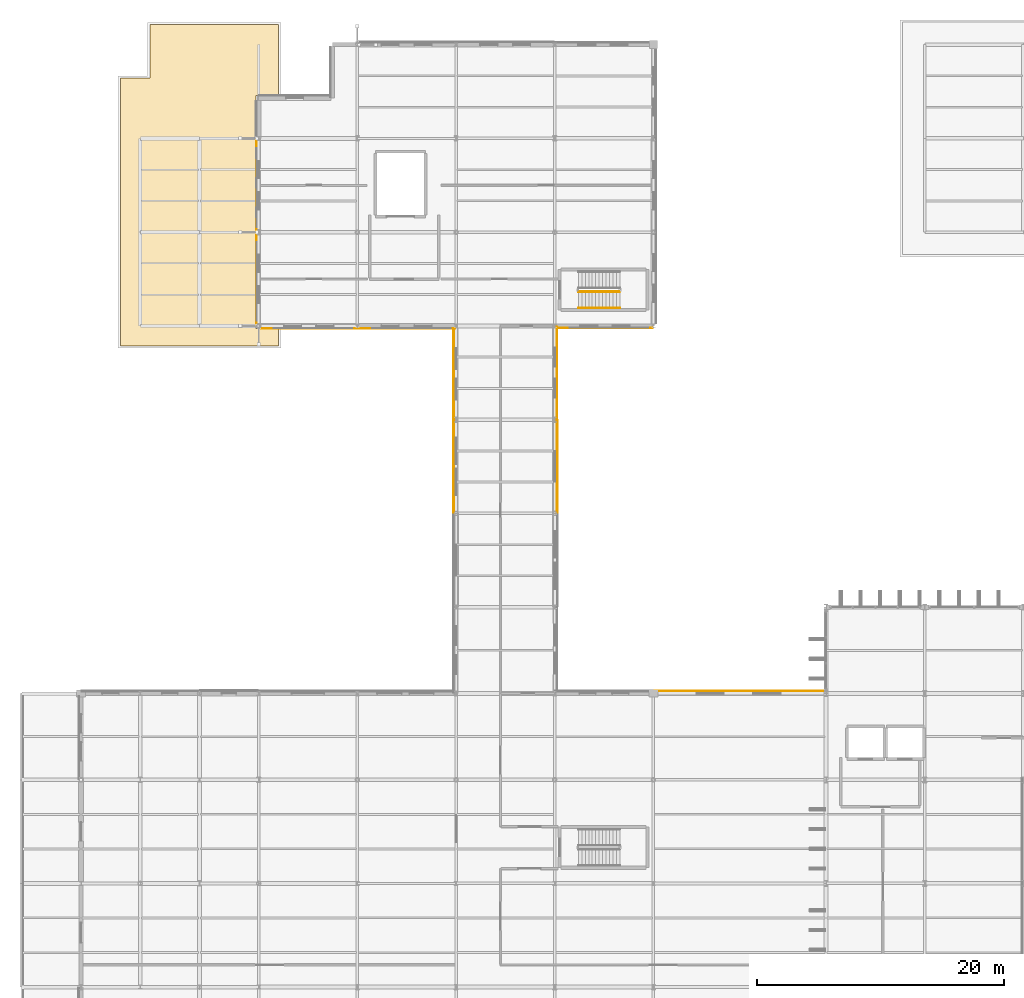
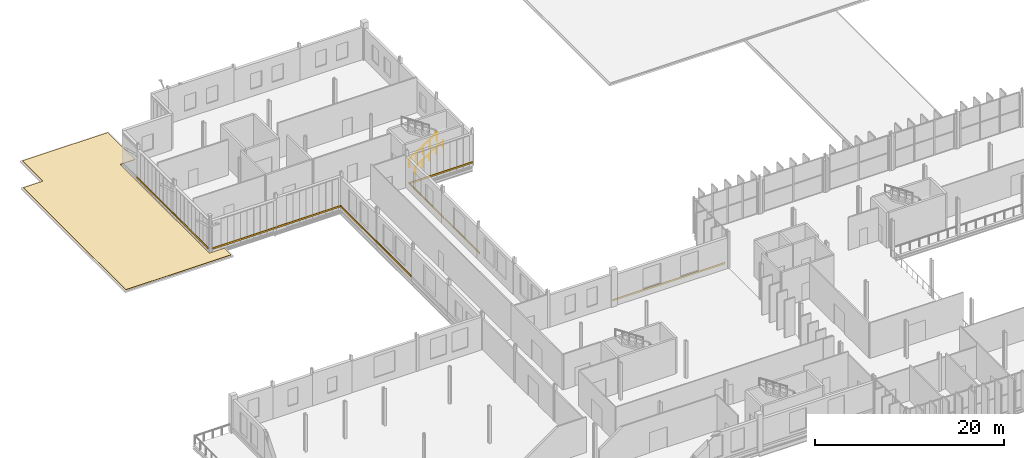
# One storey, part 113 of 120: 11 coverings, 2 railings.
"""IFC4 building model written with IfcOpenShell, lengths in metres."""

from ifc_helpers import new_model, si_unit, direction, frame, origin, origin_2d, place, context, subcontext, project, spatial, polyline, rectangle, circle, outline, extrude, material, layer, layer_set, type_object, element, save


model = new_model("IFC4")

# Units and contexts
model_context = context("Model", 3, precision=1e-05, world=origin(), true_north=direction((0.0, 1.0)))
body_context = subcontext(model_context, "Body", "Model", "MODEL_VIEW")
ifc_project = project(units=[si_unit("LENGTHUNIT", "METRE"), si_unit("AREAUNIT", "SQUARE_METRE"), si_unit("VOLUMEUNIT", "CUBIC_METRE"), si_unit("PLANEANGLEUNIT", "RADIAN"), si_unit("MASSUNIT", "GRAM", prefix="KILO")], contexts=[model_context])

# Site, building, storey
site_placement = place(None, origin())
site = spatial("IfcSite", under=ifc_project, at=site_placement, CompositionType="ELEMENT")
building_placement = place(site_placement, origin())
building = spatial("IfcBuilding", under=site, at=building_placement, Name="Vekula Escarpment Museum", CompositionType="ELEMENT")
storey_placement = place(building_placement, frame((0.0, 0.0, 13.199951171875)))
storey = spatial("IfcBuildingStorey", under=building, at=storey_placement, Name="L03", CompositionType="ELEMENT", Elevation=13.199951171875)

# Coverings
ifc_material_1 = material(Name="Polychrome limestone almasik string-course band", Category="masonry")
ifc_layer_1 = layer(ifc_material_1, 0.06005859375)
ifc_layer_set_1 = layer_set([ifc_layer_1], Name="Polychrome limestone almasik string-course band")
covering_type_1 = type_object("IfcCoveringType", Name="COV-ALM-BAND", PredefinedType="CLADDING", material=ifc_layer_set_1)
covering_1_placement = place(storey_placement, frame((62.910400390625, 83.60107421875, 0.41015625), z_axis=(0.0, 0.0, 1.0), x_axis=(1.0, 0.0, 0.0)))
element("IfcCovering", 1, at=covering_1_placement, inside=storey, type_object=covering_type_1, Name="Almasik Stone String Course L03-0537", PredefinedType="CLADDING", context=body_context, shape_type="SweptSolid", body=[
    extrude(rectangle(XDim=13.700927734375, YDim=0.06005859375, at=origin_2d()), origin(), (0.0, 0.0, 1.0), 0.219970703125),
])
for number, where, z_axis, x_axis, name in (
    (2, (48.200927734375, 101.800048828125, 0.41015625), (0.0, 0.0, 1.0), (0.0, 1.0, 0.0), "Almasik Stone String Course L03-0541"),
    (3, (48.18603515625, 109.39990234375, 0.41015625), (0.0, 0.0, 1.0), (0.0, 1.0, 0.0), "Almasik Stone String Course L03-0542"),
):
    element("IfcCovering", number, at=place(storey_placement, frame(where, z_axis=z_axis, x_axis=x_axis)), inside=storey, type_object=covering_type_1, Name=name, PredefinedType="CLADDING", context=body_context, shape_type="SweptSolid", body=[
        extrude(rectangle(XDim=7.47998046875, YDim=0.06005859375, at=origin_2d()), origin(), (0.0, 0.0, 1.0), 0.219970703125),
    ])
covering_2_placement = place(storey_placement, frame((52.08203125, 113.02392578125, 0.41015625), z_axis=(0.0, 0.0, 1.0), x_axis=(1.0, 0.0, 0.0)))
element("IfcCovering", 4, at=covering_2_placement, inside=storey, type_object=covering_type_1, Name="Almasik Stone String Course L03-0543", PredefinedType="CLADDING", context=body_context, shape_type="SweptSolid", body=[
    extrude(rectangle(XDim=7.716064453125, YDim=0.06005859375, at=origin_2d()), origin(), (0.0, 0.0, 1.0), 0.219970703125),
])
for number, where, z_axis, x_axis, name in (
    (5, (23.81396484375, 124.60009765625, 0.41015625), (0.0, 0.0, 1.0), (0.0, 1.0, 0.0), "Almasik Stone String Course L03-0557"),
    (6, (23.823974609375, 117.0, 0.41015625), (0.0, 0.0, 1.0), (0.0, 1.0, 0.0), "Almasik Stone String Course L03-0558"),
):
    element("IfcCovering", number, at=place(storey_placement, frame(where, z_axis=z_axis, x_axis=x_axis)), inside=storey, type_object=covering_type_1, Name=name, PredefinedType="CLADDING", context=body_context, shape_type="SweptSolid", body=[
        extrude(rectangle(XDim=7.47998046875, YDim=0.06005859375, at=origin_2d()), origin(), (0.0, 0.0, 1.0), 0.219970703125),
    ])
covering_3_placement = place(storey_placement, frame((28.076904296875, 112.98388671875, 0.41015625), z_axis=(0.0, 0.0, 1.0), x_axis=(1.0, 0.0, 0.0)))
element("IfcCovering", 7, at=covering_3_placement, inside=storey, type_object=covering_type_1, Name="Almasik Stone String Course L03-0559", PredefinedType="CLADDING", context=body_context, shape_type="SweptSolid", body=[
    extrude(rectangle(XDim=7.72607421875, YDim=0.06005859375, at=origin_2d()), origin(), (0.0, 0.0, 1.0), 0.219970703125),
])
covering_4_placement = place(storey_placement, frame((36.0, 112.9990234375, 0.41015625), z_axis=(0.0, 0.0, 1.0), x_axis=(1.0, 0.0, 0.0)))
element("IfcCovering", 8, at=covering_4_placement, inside=storey, type_object=covering_type_1, Name="Almasik Stone String Course L03-0560", PredefinedType="CLADDING", context=body_context, shape_type="SweptSolid", body=[
    extrude(rectangle(XDim=7.8798828125, YDim=0.06005859375, at=origin_2d()), origin(), (0.0, 0.0, 1.0), 0.219970703125),
])
covering_5_placement = place(storey_placement, frame((39.81396484375, 109.310546875, 0.41015625), z_axis=(0.0, 0.0, 1.0), x_axis=(0.0, 1.0, 0.0)))
element("IfcCovering", 9, at=covering_5_placement, inside=storey, type_object=covering_type_1, Name="Almasik Stone String Course L03-0561", PredefinedType="CLADDING", context=body_context, shape_type="SweptSolid", body=[
    extrude(rectangle(XDim=7.301025390625, YDim=0.06005859375, at=origin_2d()), origin(), (0.0, 0.0, 1.0), 0.219970703125),
])
covering_6_placement = place(storey_placement, frame((39.823974609375, 101.800048828125, 0.41015625), z_axis=(0.0, 0.0, 1.0), x_axis=(0.0, 1.0, 0.0)))
element("IfcCovering", 10, at=covering_6_placement, inside=storey, type_object=covering_type_1, Name="Almasik Stone String Course L03-0562", PredefinedType="CLADDING", context=body_context, shape_type="SweptSolid", body=[
    extrude(rectangle(XDim=7.47998046875, YDim=0.06005859375, at=origin_2d()), origin(), (0.0, 0.0, 1.0), 0.219970703125),
])
ifc_material_2 = material(Name="Standing-seam patinated copper roofing", Category="metal")
ifc_layer_2 = layer(ifc_material_2, 0.06005859375)
ifc_layer_set_2 = layer_set([ifc_layer_2], Name="Standing-seam patinated copper roofing")
covering_type_2 = type_object("IfcCoveringType", Name="COV-ROOF-COPPER", PredefinedType="ROOFING", material=ifc_layer_set_2)
covering_7_placement = place(storey_placement, origin())
element("IfcCovering", 11, at=covering_7_placement, inside=storey, type_object=covering_type_2, Name="Overhanging Eave Roof Covering R-L03-V5W1", PredefinedType="ROOFING", context=body_context, shape_type="SweptSolid", body=[
    extrude(outline(polyline([(12.780029296875, 133.2880859375), (15.179931640625, 133.2880859375), (15.179931640625, 137.6201171875), (25.6201171875, 137.6201171875), (25.6201171875, 131.8779296875), (23.7900390625, 131.8779296875), (23.7900390625, 112.989990234375), (25.6201171875, 112.989990234375), (25.6201171875, 111.580078125), (12.780029296875, 111.580078125), (12.780029296875, 133.2880859375)])), origin(), (0.0, 0.0, 1.0), 0.06005859375),
])

# Railings
ifc_material_3 = material(Name="Painted Steel S355 stair guard", Category="steel")
railing_type_1 = type_object("IfcRailingType", Name="RL-STAIR-GUARD", PredefinedType="GUARDRAIL", material=ifc_material_3)
railing_1_placement = place(storey_placement, frame((49.919921875, 115.969970703125, 0.1845703125)))
element("IfcRailing", 12, at=railing_1_placement, inside=storey, type_object=railing_type_1, Name="L03 ST-03 stair guard 1", PredefinedType="GUARDRAIL", context=body_context, shape_type="SweptSolid", body=[
    extrude(circle(Radius=0.02392578125, at=origin_2d()), frame((0.0, 0.0, 1.076171875), z_axis=(0.834848600103, 0.0, 0.550479622607), x_axis=(0.0, 1.0, 0.0)), (0.0, 0.0, 1.0), 4.02490234375),
    extrude(circle(Radius=0.02099609375, at=origin_2d()), origin(), (0.0, 0.0, 1.0), 1.052001953125),
    extrude(circle(Radius=0.02099609375, at=origin_2d()), frame((0.840087890625, 0.0, 0.553955078125)), (0.0, 0.0, 1.0), 1.052001953125),
    extrude(circle(Radius=0.02099609375, at=origin_2d()), frame((1.68017578125, 0.0, 1.10791015625)), (0.0, 0.0, 1.0), 1.052001953125),
    extrude(circle(Radius=0.02099609375, at=origin_2d()), frame((2.52001953125, 0.0, 1.66162109375)), (0.0, 0.0, 1.0), 1.052001953125),
    extrude(circle(Radius=0.02099609375, at=origin_2d()), frame((3.360107421875, 0.0, 2.215576171875)), (0.0, 0.0, 1.0), 1.052001953125),
])
ifc_material_4 = material(Name="Brushed stainless steel handrail", Category="steel")
railing_type_2 = type_object("IfcRailingType", Name="RL-STAIR-HAND", PredefinedType="HANDRAIL", material=ifc_material_4)
railing_2_placement = place(storey_placement, frame((49.919921875, 114.64990234375, 0.1845703125)))
element("IfcRailing", 13, at=railing_2_placement, inside=storey, type_object=railing_type_2, Name="L03 ST-03 stair handrail 1", PredefinedType="HANDRAIL", context=body_context, shape_type="SweptSolid", body=[
    extrude(circle(Radius=0.02392578125, at=origin_2d()), frame((0.0, 0.0, 0.8759765625), z_axis=(0.834848600103, 0.0, 0.550479622607), x_axis=(0.0, 1.0, 0.0)), (0.0, 0.0, 1.0), 4.02490234375),
    extrude(circle(Radius=0.02099609375, at=origin_2d()), origin(), (0.0, 0.0, 1.0), 0.851806640625),
    extrude(circle(Radius=0.02099609375, at=origin_2d()), frame((0.840087890625, 0.0, 0.553955078125)), (0.0, 0.0, 1.0), 0.851806640625),
    extrude(circle(Radius=0.02099609375, at=origin_2d()), frame((1.68017578125, 0.0, 1.10791015625)), (0.0, 0.0, 1.0), 0.851806640625),
    extrude(circle(Radius=0.02099609375, at=origin_2d()), frame((2.52001953125, 0.0, 1.66162109375)), (0.0, 0.0, 1.0), 0.851806640625),
    extrude(circle(Radius=0.02099609375, at=origin_2d()), frame((3.360107421875, 0.0, 2.215576171875)), (0.0, 0.0, 1.0), 0.851806640625),
])

save(model, "model.ifc")
